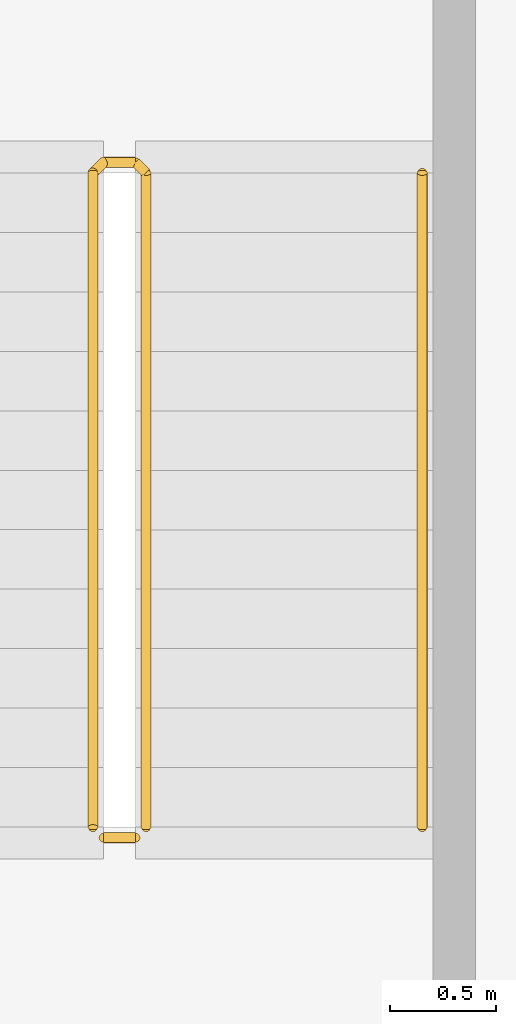
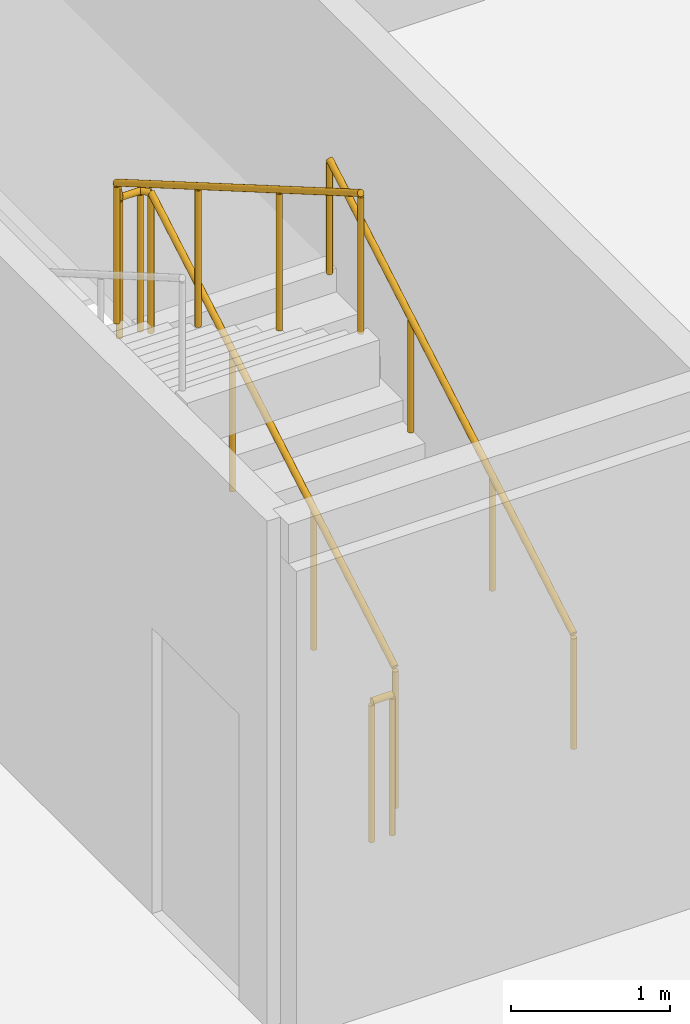
# One storey, part 21 of 22: 3 railings.
"""IFC4 building model written with IfcOpenShell, lengths in metres."""

from ifc_helpers import new_model, si_unit, direction, frame, origin, origin_2d, place, context, subcontext, project, spatial, circle, extrude, material, type_object, element, save


model = new_model("IFC4")

# Units and contexts
model_context = context("Model", 3, precision=1e-05, world=origin(), true_north=direction((0.0, 1.0)))
body_context = subcontext(model_context, "Body", "Model", "MODEL_VIEW")
ifc_project = project(units=[si_unit("LENGTHUNIT", "METRE"), si_unit("AREAUNIT", "SQUARE_METRE"), si_unit("VOLUMEUNIT", "CUBIC_METRE"), si_unit("PLANEANGLEUNIT", "RADIAN"), si_unit("MASSUNIT", "GRAM", prefix="KILO")], contexts=[model_context])

# Site, building, storey
site_placement = place(None, origin())
site = spatial("IfcSite", under=ifc_project, at=site_placement, CompositionType="ELEMENT")
building_placement = place(site_placement, origin())
building = spatial("IfcBuilding", under=site, at=building_placement, Name="Kheshtan School and Residences Tower", CompositionType="ELEMENT")
storey_placement = place(building_placement, frame((0.0, 0.0, 255.199951171875)))
storey = spatial("IfcBuildingStorey", under=building, at=storey_placement, Name="L60", CompositionType="ELEMENT", Elevation=255.199951171875)

# Railings
ifc_material_1 = material(Name="Stainless steel balustrade", Category="steel")
railing_type_1 = type_object("IfcRailingType", Name="Stair guard 1100", PredefinedType="GUARDRAIL", material=ifc_material_1)
railing_1_placement = place(storey_placement, frame((35.0, 80.89990234375, 0.16259765625)))
element("IfcRailing", 1, at=railing_1_placement, inside=storey, type_object=railing_type_1, Name="L60 ST3 stair guard 1", PredefinedType="GUARDRAIL", context=body_context, shape_type="SweptSolid", body=[
    extrude(circle(Radius=0.02392578125, at=origin_2d()), frame((0.0, 0.0, 1.076171875), z_axis=(0.0, 0.864920483161, 0.501908913857), x_axis=(-1.0, 0.0, 0.0)), (0.0, 0.0, 1.0), 3.56103515625),
    extrude(circle(Radius=0.02392578125, at=origin_2d()), frame((0.0, 3.080078125, 2.86328125), z_axis=(-0.707106781187, 0.707106781187, 0.0), x_axis=(-0.707106781187, -0.707106781187, 0.0)), (0.0, 0.0, 1.0), 0.07080078125),
    extrude(circle(Radius=0.02392578125, at=origin_2d()), frame((-0.050048828125, 3.130126953125, 2.86328125), z_axis=(-1.0, 0.0, 0.0), x_axis=(0.0, -1.0, 0.0)), (0.0, 0.0, 1.0), 0.14990234375),
    extrude(circle(Radius=0.02392578125, at=origin_2d()), frame((-0.199951171875, 3.130126953125, 2.86328125), z_axis=(-0.282227285176, -0.282227285176, 0.916894497205), x_axis=(0.707106781187, -0.707106781187, 0.0)), (0.0, 0.0, 1.0), 0.17724609375),
    extrude(circle(Radius=0.02392578125, at=origin_2d()), frame((-0.25, 3.080078125, 3.02587890625), z_axis=(0.0, -0.864890721111, 0.501960198159), x_axis=(1.0, 0.0, 0.0)), (0.0, 0.0, 1.0), 3.561279296875),
    extrude(circle(Radius=0.02099609375, at=origin_2d()), origin(), (0.0, 0.0, 1.0), 1.052001953125),
    extrude(circle(Radius=0.02099609375, at=origin_2d()), frame((0.0, 1.026611328125, 0.595703125)), (0.0, 0.0, 1.0), 1.052001953125),
    extrude(circle(Radius=0.02099609375, at=origin_2d()), frame((0.0, 2.053466796875, 1.191650390625)), (0.0, 0.0, 1.0), 1.052001953125),
    extrude(circle(Radius=0.02099609375, at=origin_2d()), frame((0.0, 3.080078125, 1.787353515625)), (0.0, 0.0, 1.0), 1.052001953125),
    extrude(circle(Radius=0.02099609375, at=origin_2d()), frame((-0.050048828125, 3.130126953125, 1.787353515625)), (0.0, 0.0, 1.0), 1.052001953125),
    extrude(circle(Radius=0.02099609375, at=origin_2d()), frame((-0.199951171875, 3.130126953125, 1.787353515625)), (0.0, 0.0, 1.0), 1.052001953125),
    extrude(circle(Radius=0.02099609375, at=origin_2d()), frame((-0.25, 3.080078125, 1.949951171875)), (0.0, 0.0, 1.0), 1.052001953125),
    extrude(circle(Radius=0.02099609375, at=origin_2d()), frame((-0.25, 2.053466796875, 2.5458984375)), (0.0, 0.0, 1.0), 1.052001953125),
    extrude(circle(Radius=0.02099609375, at=origin_2d()), frame((-0.25, 1.026611328125, 3.1416015625)), (0.0, 0.0, 1.0), 1.052001953125),
    extrude(circle(Radius=0.02099609375, at=origin_2d()), frame((-0.25, 0.0, 3.737548828125)), (0.0, 0.0, 1.0), 1.052001953125),
])
railing_2_placement = place(storey_placement, frame((34.949951171875, 80.85009765625, 0.0)))
element("IfcRailing", 2, at=railing_2_placement, inside=storey, type_object=railing_type_1, Name="L60 ST3 stair guard 2", PredefinedType="GUARDRAIL", context=body_context, shape_type="SweptSolid", body=[
    extrude(circle(Radius=0.02392578125, at=origin_2d()), frame((0.0, 0.0, 1.076171875), z_axis=(-1.0, 0.0, 0.0), x_axis=(0.0, -1.0, 0.0)), (0.0, 0.0, 1.0), 0.14990234375),
    extrude(circle(Radius=0.02099609375, at=origin_2d()), origin(), (0.0, 0.0, 1.0), 1.052001953125),
    extrude(circle(Radius=0.02099609375, at=origin_2d()), frame((-0.14990234375, 0.0, 0.0)), (0.0, 0.0, 1.0), 1.052001953125),
])
ifc_material_2 = material(Name="Stainless steel handrail", Category="steel")
railing_type_2 = type_object("IfcRailingType", Name="Stair handrail 900", PredefinedType="HANDRAIL", material=ifc_material_2)
railing_3_placement = place(storey_placement, frame((36.300048828125, 80.89990234375, 0.16259765625)))
element("IfcRailing", 3, at=railing_3_placement, inside=storey, type_object=railing_type_2, Name="L60 ST3 stair handrail 1", PredefinedType="HANDRAIL", context=body_context, shape_type="SweptSolid", body=[
    extrude(circle(Radius=0.02392578125, at=origin_2d()), frame((0.0, 0.0, 0.8759765625), z_axis=(0.0, 0.864920483161, 0.501908913857), x_axis=(-1.0, 0.0, 0.0)), (0.0, 0.0, 1.0), 3.56103515625),
    extrude(circle(Radius=0.02099609375, at=origin_2d()), origin(), (0.0, 0.0, 1.0), 0.851806640625),
    extrude(circle(Radius=0.02099609375, at=origin_2d()), frame((0.0, 1.026611328125, 0.595703125)), (0.0, 0.0, 1.0), 0.851806640625),
    extrude(circle(Radius=0.02099609375, at=origin_2d()), frame((0.0, 2.053466796875, 1.191650390625)), (0.0, 0.0, 1.0), 0.851806640625),
    extrude(circle(Radius=0.02099609375, at=origin_2d()), frame((0.0, 3.080078125, 1.787353515625)), (0.0, 0.0, 1.0), 0.851806640625),
])

save(model, "model.ifc")
